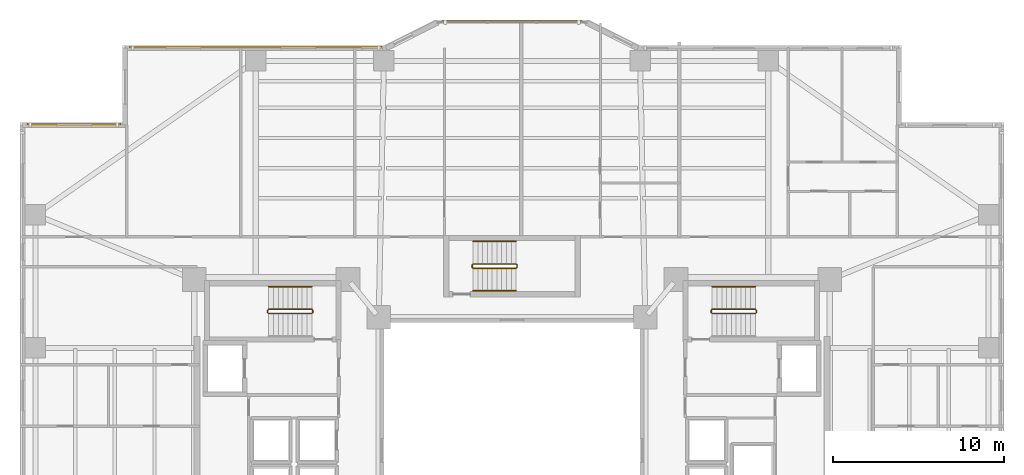
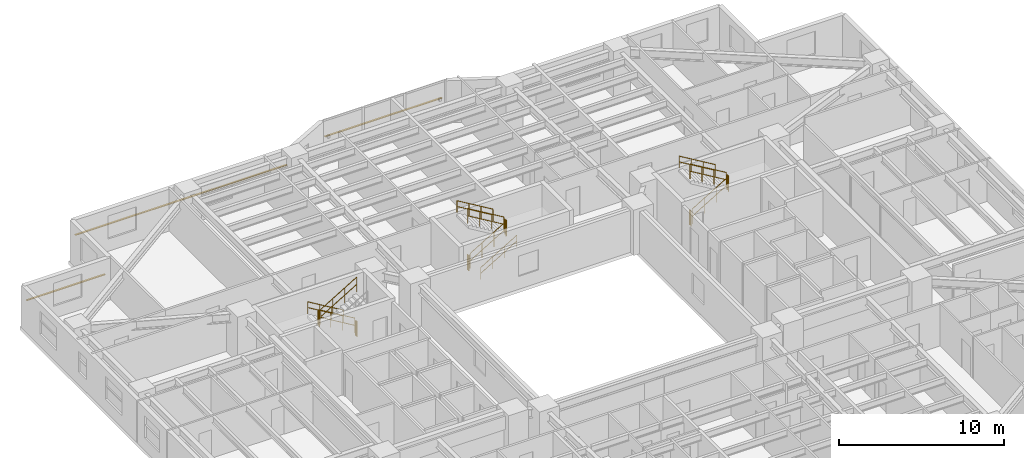
# One storey, part 20 of 21: 16 railings, 3 shading devices.
"""IFC4 building model written with IfcOpenShell, lengths in metres."""

from ifc_helpers import new_model, si_unit, direction, frame, origin, origin_2d, place, context, subcontext, project, spatial, rectangle, circle, extrude, material, material_profile, profile_set, type_object, element, save


model = new_model("IFC4")

# Units and contexts
model_context = context("Model", 3, precision=1e-05, world=origin(), true_north=direction((0.0, 1.0)))
body_context = subcontext(model_context, "Body", "Model", "MODEL_VIEW")
ifc_project = project(units=[si_unit("LENGTHUNIT", "METRE"), si_unit("AREAUNIT", "SQUARE_METRE"), si_unit("VOLUMEUNIT", "CUBIC_METRE"), si_unit("PLANEANGLEUNIT", "RADIAN"), si_unit("MASSUNIT", "GRAM", prefix="KILO")], contexts=[model_context])

# Site, building, storey
site_placement = place(None, origin())
site = spatial("IfcSite", under=ifc_project, at=site_placement, CompositionType="ELEMENT")
building_placement = place(site_placement, origin())
building = spatial("IfcBuilding", under=site, at=building_placement, Name="Tarnavaz Court Tower", CompositionType="ELEMENT")
storey_placement = place(building_placement, frame((0.0, 0.0, 44.10009765625)))
storey = spatial("IfcBuildingStorey", under=building, at=storey_placement, Name="L11", CompositionType="ELEMENT", Elevation=44.10009765625)

# Railings
ifc_material_1 = material(Name="Brushed Stainless Steel", Category="steel")
railing_type_1 = type_object("IfcRailingType", Name="RL-HANDRAIL-900", PredefinedType="HANDRAIL", material=ifc_material_1)
railing_1_placement = place(storey_placement, frame((-11.719970703125, 9.590087890625, 0.16748046875)))
element("IfcRailing", 1, at=railing_1_placement, inside=storey, type_object=railing_type_1, Name="L11 ST-W1 stair handrail 1", PredefinedType="HANDRAIL", context=body_context, shape_type="SweptSolid", body=[
    extrude(circle(Radius=0.02392578125, at=origin_2d()), frame((0.0, 0.0, 0.8759765625), z_axis=(-0.858196387827, 0.0, 0.513321497621), x_axis=(0.0, -1.0, 0.0)), (0.0, 0.0, 1.0), 2.9365234375),
    extrude(circle(Radius=0.02392578125, at=origin_2d()), frame((0.0, 0.0, 0.449951171875), z_axis=(-0.858196387827, 0.0, 0.513321497621), x_axis=(0.0, -1.0, 0.0)), (0.0, 0.0, 1.0), 2.9365234375),
    extrude(circle(Radius=0.02099609375, at=origin_2d()), origin(), (0.0, 0.0, 1.0), 0.851806640625),
    extrude(circle(Radius=0.02099609375, at=origin_2d()), frame((-0.840087890625, 0.0, 0.50244140625)), (0.0, 0.0, 1.0), 0.851806640625),
    extrude(circle(Radius=0.02099609375, at=origin_2d()), frame((-1.679931640625, 0.0, 1.0048828125)), (0.0, 0.0, 1.0), 0.851806640625),
    extrude(circle(Radius=0.02099609375, at=origin_2d()), frame((-2.52001953125, 0.0, 1.50732421875)), (0.0, 0.0, 1.0), 0.851806640625),
])
railing_2_placement = place(storey_placement, frame((14.239990234375, 9.590087890625, 1.84228515625)))
element("IfcRailing", 2, at=railing_2_placement, inside=storey, type_object=railing_type_1, Name="L11 ST-E1 stair handrail 2", PredefinedType="HANDRAIL", context=body_context, shape_type="SweptSolid", body=[
    extrude(circle(Radius=0.02392578125, at=origin_2d()), frame((0.0, 0.0, 0.8759765625), z_axis=(-0.858159760407, 0.0, 0.513382728203), x_axis=(0.0, -1.0, 0.0)), (0.0, 0.0, 1.0), 2.9365234375),
    extrude(circle(Radius=0.02392578125, at=origin_2d()), frame((0.0, 0.0, 0.449951171875), z_axis=(-0.858159760407, 0.0, 0.513382728203), x_axis=(0.0, -1.0, 0.0)), (0.0, 0.0, 1.0), 2.9365234375),
    extrude(circle(Radius=0.02099609375, at=origin_2d()), origin(), (0.0, 0.0, 1.0), 0.851806640625),
    extrude(circle(Radius=0.02099609375, at=origin_2d()), frame((-0.840087890625, 0.0, 0.50244140625)), (0.0, 0.0, 1.0), 0.851806640625),
    extrude(circle(Radius=0.02099609375, at=origin_2d()), frame((-1.679931640625, 0.0, 1.005126953125)), (0.0, 0.0, 1.0), 0.851806640625),
    extrude(circle(Radius=0.02099609375, at=origin_2d()), frame((-2.52001953125, 0.0, 1.507568359375)), (0.0, 0.0, 1.0), 0.851806640625),
])
railing_3_placement = place(storey_placement, frame((-2.280029296875, 9.35009765625, 0.16748046875)))
element("IfcRailing", 3, at=railing_3_placement, inside=storey, type_object=railing_type_1, Name="L11 ST-N1 stair handrail 1", PredefinedType="HANDRAIL", context=body_context, shape_type="SweptSolid", body=[
    extrude(circle(Radius=0.02392578125, at=origin_2d()), frame((0.0, 0.0, 0.8759765625), z_axis=(0.858196387827, 0.0, 0.513321497621), x_axis=(0.0, 1.0, 0.0)), (0.0, 0.0, 1.0), 2.9365234375),
    extrude(circle(Radius=0.02392578125, at=origin_2d()), frame((0.0, 0.0, 0.449951171875), z_axis=(0.858196387827, 0.0, 0.513321497621), x_axis=(0.0, 1.0, 0.0)), (0.0, 0.0, 1.0), 2.9365234375),
    extrude(circle(Radius=0.02099609375, at=origin_2d()), origin(), (0.0, 0.0, 1.0), 0.851806640625),
    extrude(circle(Radius=0.02099609375, at=origin_2d()), frame((0.840087890625, 0.0, 0.50244140625)), (0.0, 0.0, 1.0), 0.851806640625),
    extrude(circle(Radius=0.02099609375, at=origin_2d()), frame((1.679931640625, 0.0, 1.0048828125)), (0.0, 0.0, 1.0), 0.851806640625),
    extrude(circle(Radius=0.02099609375, at=origin_2d()), frame((2.52001953125, 0.0, 1.50732421875)), (0.0, 0.0, 1.0), 0.851806640625),
])
railing_4_placement = place(storey_placement, frame((0.239990234375, 12.239990234375, 1.84228515625)))
element("IfcRailing", 4, at=railing_4_placement, inside=storey, type_object=railing_type_1, Name="L11 ST-N1 stair handrail 2", PredefinedType="HANDRAIL", context=body_context, shape_type="SweptSolid", body=[
    extrude(circle(Radius=0.02392578125, at=origin_2d()), frame((0.0, 0.0, 0.8759765625), z_axis=(-0.858159760407, 0.0, 0.513382728203), x_axis=(0.0, -1.0, 0.0)), (0.0, 0.0, 1.0), 2.9365234375),
    extrude(circle(Radius=0.02392578125, at=origin_2d()), frame((0.0, 0.0, 0.449951171875), z_axis=(-0.858159760407, 0.0, 0.513382728203), x_axis=(0.0, -1.0, 0.0)), (0.0, 0.0, 1.0), 2.9365234375),
    extrude(circle(Radius=0.02099609375, at=origin_2d()), origin(), (0.0, 0.0, 1.0), 0.851806640625),
    extrude(circle(Radius=0.02099609375, at=origin_2d()), frame((-0.840087890625, 0.0, 0.50244140625)), (0.0, 0.0, 1.0), 0.851806640625),
    extrude(circle(Radius=0.02099609375, at=origin_2d()), frame((-1.679931640625, 0.0, 1.005126953125)), (0.0, 0.0, 1.0), 0.851806640625),
    extrude(circle(Radius=0.02099609375, at=origin_2d()), frame((-2.52001953125, 0.0, 1.507568359375)), (0.0, 0.0, 1.0), 0.851806640625),
])
ifc_material_2 = material(Name="Galvanized Painted Tubular Steel", Category="steel")
railing_type_2 = type_object("IfcRailingType", Name="RL-STGUARD-1120", PredefinedType="GUARDRAIL", material=ifc_material_2)
railing_5_placement = place(storey_placement, frame((-11.719970703125, 8.27001953125, 0.16748046875)))
element("IfcRailing", 5, at=railing_5_placement, inside=storey, type_object=railing_type_2, Name="L11 ST-W1 stair guard 1", PredefinedType="GUARDRAIL", context=body_context, shape_type="SweptSolid", body=[
    extrude(circle(Radius=0.02392578125, at=origin_2d()), frame((0.0, 0.0, 1.09619140625), z_axis=(-0.858196387827, 0.0, 0.513321497621), x_axis=(0.0, -1.0, 0.0)), (0.0, 0.0, 1.0), 2.9365234375),
    extrude(circle(Radius=0.02392578125, at=origin_2d()), frame((0.0, 0.0, 0.56005859375), z_axis=(-0.858196387827, 0.0, 0.513321497621), x_axis=(0.0, -1.0, 0.0)), (0.0, 0.0, 1.0), 2.9365234375),
    extrude(circle(Radius=0.02099609375, at=origin_2d()), origin(), (0.0, 0.0, 1.0), 1.072021484375),
    extrude(circle(Radius=0.02099609375, at=origin_2d()), frame((-0.840087890625, 0.0, 0.50244140625)), (0.0, 0.0, 1.0), 1.072021484375),
    extrude(circle(Radius=0.02099609375, at=origin_2d()), frame((-1.679931640625, 0.0, 1.0048828125)), (0.0, 0.0, 1.0), 1.072021484375),
    extrude(circle(Radius=0.02099609375, at=origin_2d()), frame((-2.52001953125, 0.0, 1.50732421875)), (0.0, 0.0, 1.0), 1.072021484375),
])
railing_6_placement = place(storey_placement, frame((-14.2900390625, 8.219970703125, 1.6748046875)))
element("IfcRailing", 6, at=railing_6_placement, inside=storey, type_object=railing_type_2, Name="L11 ST-W1 stair guard 2", PredefinedType="GUARDRAIL", context=body_context, shape_type="SweptSolid", body=[
    extrude(circle(Radius=0.02392578125, at=origin_2d()), frame((0.0, 0.0, 1.09619140625), z_axis=(0.0, -1.0, 0.0), x_axis=(1.0, 0.0, 0.0)), (0.0, 0.0, 1.0), 0.14990234375),
    extrude(circle(Radius=0.02392578125, at=origin_2d()), frame((0.0, 0.0, 0.56005859375), z_axis=(0.0, -1.0, 0.0), x_axis=(1.0, 0.0, 0.0)), (0.0, 0.0, 1.0), 0.14990234375),
    extrude(circle(Radius=0.02099609375, at=origin_2d()), origin(), (0.0, 0.0, 1.0), 1.072021484375),
    extrude(circle(Radius=0.02099609375, at=origin_2d()), frame((0.0, -0.14990234375, 0.0)), (0.0, 0.0, 1.0), 1.072021484375),
])
railing_7_placement = place(storey_placement, frame((-14.239990234375, 8.02001953125, 1.84228515625)))
element("IfcRailing", 7, at=railing_7_placement, inside=storey, type_object=railing_type_2, Name="L11 ST-W1 stair guard 3", PredefinedType="GUARDRAIL", context=body_context, shape_type="SweptSolid", body=[
    extrude(circle(Radius=0.02392578125, at=origin_2d()), frame((0.0, 0.0, 1.09619140625), z_axis=(0.858159760407, 0.0, 0.513382728203), x_axis=(0.0, 1.0, 0.0)), (0.0, 0.0, 1.0), 2.9365234375),
    extrude(circle(Radius=0.02392578125, at=origin_2d()), frame((0.0, 0.0, 0.56005859375), z_axis=(0.858159760407, 0.0, 0.513382728203), x_axis=(0.0, 1.0, 0.0)), (0.0, 0.0, 1.0), 2.9365234375),
    extrude(circle(Radius=0.02099609375, at=origin_2d()), origin(), (0.0, 0.0, 1.0), 1.072021484375),
    extrude(circle(Radius=0.02099609375, at=origin_2d()), frame((0.840087890625, 0.0, 0.50244140625)), (0.0, 0.0, 1.0), 1.072021484375),
    extrude(circle(Radius=0.02099609375, at=origin_2d()), frame((1.679931640625, 0.0, 1.005126953125)), (0.0, 0.0, 1.0), 1.072021484375),
    extrude(circle(Radius=0.02099609375, at=origin_2d()), frame((2.52001953125, 0.0, 1.507568359375)), (0.0, 0.0, 1.0), 1.072021484375),
])
railing_8_placement = place(storey_placement, frame((-11.669921875, 8.219970703125, 0.0)))
element("IfcRailing", 8, at=railing_8_placement, inside=storey, type_object=railing_type_2, Name="L11 ST-W1 stair guard 4", PredefinedType="GUARDRAIL", context=body_context, shape_type="SweptSolid", body=[
    extrude(circle(Radius=0.02392578125, at=origin_2d()), frame((0.0, 0.0, 1.09619140625), z_axis=(0.0, -1.0, 0.0), x_axis=(1.0, 0.0, 0.0)), (0.0, 0.0, 1.0), 0.14990234375),
    extrude(circle(Radius=0.02392578125, at=origin_2d()), frame((0.0, 0.0, 0.56005859375), z_axis=(0.0, -1.0, 0.0), x_axis=(1.0, 0.0, 0.0)), (0.0, 0.0, 1.0), 0.14990234375),
    extrude(circle(Radius=0.02099609375, at=origin_2d()), origin(), (0.0, 0.0, 1.0), 1.072021484375),
    extrude(circle(Radius=0.02099609375, at=origin_2d()), frame((0.0, -0.14990234375, 0.0)), (0.0, 0.0, 1.0), 1.072021484375),
])
railing_9_placement = place(storey_placement, frame((11.719970703125, 8.02001953125, 0.16748046875)))
element("IfcRailing", 9, at=railing_9_placement, inside=storey, type_object=railing_type_2, Name="L11 ST-E1 stair guard 1", PredefinedType="GUARDRAIL", context=body_context, shape_type="SweptSolid", body=[
    extrude(circle(Radius=0.02392578125, at=origin_2d()), frame((0.0, 0.0, 1.09619140625), z_axis=(0.858196387827, 0.0, 0.513321497621), x_axis=(0.0, 1.0, 0.0)), (0.0, 0.0, 1.0), 2.9365234375),
    extrude(circle(Radius=0.02392578125, at=origin_2d()), frame((0.0, 0.0, 0.56005859375), z_axis=(0.858196387827, 0.0, 0.513321497621), x_axis=(0.0, 1.0, 0.0)), (0.0, 0.0, 1.0), 2.9365234375),
    extrude(circle(Radius=0.02099609375, at=origin_2d()), origin(), (0.0, 0.0, 1.0), 1.072021484375),
    extrude(circle(Radius=0.02099609375, at=origin_2d()), frame((0.840087890625, 0.0, 0.50244140625)), (0.0, 0.0, 1.0), 1.072021484375),
    extrude(circle(Radius=0.02099609375, at=origin_2d()), frame((1.679931640625, 0.0, 1.0048828125)), (0.0, 0.0, 1.0), 1.072021484375),
    extrude(circle(Radius=0.02099609375, at=origin_2d()), frame((2.52001953125, 0.0, 1.50732421875)), (0.0, 0.0, 1.0), 1.072021484375),
])
railing_10_placement = place(storey_placement, frame((14.2900390625, 8.070068359375, 1.6748046875)))
element("IfcRailing", 10, at=railing_10_placement, inside=storey, type_object=railing_type_2, Name="L11 ST-E1 stair guard 2", PredefinedType="GUARDRAIL", context=body_context, shape_type="SweptSolid", body=[
    extrude(circle(Radius=0.02392578125, at=origin_2d()), frame((0.0, 0.0, 1.09619140625), z_axis=(0.0, 1.0, 0.0), x_axis=(-1.0, 0.0, 0.0)), (0.0, 0.0, 1.0), 0.14990234375),
    extrude(circle(Radius=0.02392578125, at=origin_2d()), frame((0.0, 0.0, 0.56005859375), z_axis=(0.0, 1.0, 0.0), x_axis=(-1.0, 0.0, 0.0)), (0.0, 0.0, 1.0), 0.14990234375),
    extrude(circle(Radius=0.02099609375, at=origin_2d()), origin(), (0.0, 0.0, 1.0), 1.072021484375),
    extrude(circle(Radius=0.02099609375, at=origin_2d()), frame((0.0, 0.14990234375, 0.0)), (0.0, 0.0, 1.0), 1.072021484375),
])
railing_11_placement = place(storey_placement, frame((14.239990234375, 8.27001953125, 1.84228515625)))
element("IfcRailing", 11, at=railing_11_placement, inside=storey, type_object=railing_type_2, Name="L11 ST-E1 stair guard 3", PredefinedType="GUARDRAIL", context=body_context, shape_type="SweptSolid", body=[
    extrude(circle(Radius=0.02392578125, at=origin_2d()), frame((0.0, 0.0, 1.09619140625), z_axis=(-0.858159760407, 0.0, 0.513382728203), x_axis=(0.0, -1.0, 0.0)), (0.0, 0.0, 1.0), 2.9365234375),
    extrude(circle(Radius=0.02392578125, at=origin_2d()), frame((0.0, 0.0, 0.56005859375), z_axis=(-0.858159760407, 0.0, 0.513382728203), x_axis=(0.0, -1.0, 0.0)), (0.0, 0.0, 1.0), 2.9365234375),
    extrude(circle(Radius=0.02099609375, at=origin_2d()), origin(), (0.0, 0.0, 1.0), 1.072021484375),
    extrude(circle(Radius=0.02099609375, at=origin_2d()), frame((-0.840087890625, 0.0, 0.50244140625)), (0.0, 0.0, 1.0), 1.072021484375),
    extrude(circle(Radius=0.02099609375, at=origin_2d()), frame((-1.679931640625, 0.0, 1.005126953125)), (0.0, 0.0, 1.0), 1.072021484375),
    extrude(circle(Radius=0.02099609375, at=origin_2d()), frame((-2.52001953125, 0.0, 1.507568359375)), (0.0, 0.0, 1.0), 1.072021484375),
])
railing_12_placement = place(storey_placement, frame((11.669921875, 8.070068359375, 0.0)))
element("IfcRailing", 12, at=railing_12_placement, inside=storey, type_object=railing_type_2, Name="L11 ST-E1 stair guard 4", PredefinedType="GUARDRAIL", context=body_context, shape_type="SweptSolid", body=[
    extrude(circle(Radius=0.02392578125, at=origin_2d()), frame((0.0, 0.0, 1.09619140625), z_axis=(0.0, 1.0, 0.0), x_axis=(-1.0, 0.0, 0.0)), (0.0, 0.0, 1.0), 0.14990234375),
    extrude(circle(Radius=0.02392578125, at=origin_2d()), frame((0.0, 0.0, 0.56005859375), z_axis=(0.0, 1.0, 0.0), x_axis=(-1.0, 0.0, 0.0)), (0.0, 0.0, 1.0), 0.14990234375),
    extrude(circle(Radius=0.02099609375, at=origin_2d()), origin(), (0.0, 0.0, 1.0), 1.072021484375),
    extrude(circle(Radius=0.02099609375, at=origin_2d()), frame((0.0, 0.14990234375, 0.0)), (0.0, 0.0, 1.0), 1.072021484375),
])
railing_13_placement = place(storey_placement, frame((-2.280029296875, 10.669921875, 0.16748046875)))
element("IfcRailing", 13, at=railing_13_placement, inside=storey, type_object=railing_type_2, Name="L11 ST-N1 stair guard 1", PredefinedType="GUARDRAIL", context=body_context, shape_type="SweptSolid", body=[
    extrude(circle(Radius=0.02392578125, at=origin_2d()), frame((0.0, 0.0, 1.09619140625), z_axis=(0.858196387827, 0.0, 0.513321497621), x_axis=(0.0, 1.0, 0.0)), (0.0, 0.0, 1.0), 2.9365234375),
    extrude(circle(Radius=0.02392578125, at=origin_2d()), frame((0.0, 0.0, 0.56005859375), z_axis=(0.858196387827, 0.0, 0.513321497621), x_axis=(0.0, 1.0, 0.0)), (0.0, 0.0, 1.0), 2.9365234375),
    extrude(circle(Radius=0.02099609375, at=origin_2d()), origin(), (0.0, 0.0, 1.0), 1.072021484375),
    extrude(circle(Radius=0.02099609375, at=origin_2d()), frame((0.840087890625, 0.0, 0.50244140625)), (0.0, 0.0, 1.0), 1.072021484375),
    extrude(circle(Radius=0.02099609375, at=origin_2d()), frame((1.679931640625, 0.0, 1.0048828125)), (0.0, 0.0, 1.0), 1.072021484375),
    extrude(circle(Radius=0.02099609375, at=origin_2d()), frame((2.52001953125, 0.0, 1.50732421875)), (0.0, 0.0, 1.0), 1.072021484375),
])
railing_14_placement = place(storey_placement, frame((0.2900390625, 10.719970703125, 1.6748046875)))
element("IfcRailing", 14, at=railing_14_placement, inside=storey, type_object=railing_type_2, Name="L11 ST-N1 stair guard 2", PredefinedType="GUARDRAIL", context=body_context, shape_type="SweptSolid", body=[
    extrude(circle(Radius=0.02392578125, at=origin_2d()), frame((0.0, 0.0, 1.09619140625), z_axis=(0.0, 1.0, 0.0), x_axis=(-1.0, 0.0, 0.0)), (0.0, 0.0, 1.0), 0.150146484375),
    extrude(circle(Radius=0.02392578125, at=origin_2d()), frame((0.0, 0.0, 0.56005859375), z_axis=(0.0, 1.0, 0.0), x_axis=(-1.0, 0.0, 0.0)), (0.0, 0.0, 1.0), 0.150146484375),
    extrude(circle(Radius=0.02099609375, at=origin_2d()), origin(), (0.0, 0.0, 1.0), 1.072021484375),
    extrude(circle(Radius=0.02099609375, at=origin_2d()), frame((0.0, 0.150146484375, 0.0)), (0.0, 0.0, 1.0), 1.072021484375),
])
railing_15_placement = place(storey_placement, frame((0.239990234375, 10.919921875, 1.84228515625)))
element("IfcRailing", 15, at=railing_15_placement, inside=storey, type_object=railing_type_2, Name="L11 ST-N1 stair guard 3", PredefinedType="GUARDRAIL", context=body_context, shape_type="SweptSolid", body=[
    extrude(circle(Radius=0.02392578125, at=origin_2d()), frame((0.0, 0.0, 1.09619140625), z_axis=(-0.858159760407, 0.0, 0.513382728203), x_axis=(0.0, -1.0, 0.0)), (0.0, 0.0, 1.0), 2.9365234375),
    extrude(circle(Radius=0.02392578125, at=origin_2d()), frame((0.0, 0.0, 0.56005859375), z_axis=(-0.858159760407, 0.0, 0.513382728203), x_axis=(0.0, -1.0, 0.0)), (0.0, 0.0, 1.0), 2.9365234375),
    extrude(circle(Radius=0.02099609375, at=origin_2d()), origin(), (0.0, 0.0, 1.0), 1.072021484375),
    extrude(circle(Radius=0.02099609375, at=origin_2d()), frame((-0.840087890625, 0.0, 0.50244140625)), (0.0, 0.0, 1.0), 1.072021484375),
    extrude(circle(Radius=0.02099609375, at=origin_2d()), frame((-1.679931640625, 0.0, 1.005126953125)), (0.0, 0.0, 1.0), 1.072021484375),
    extrude(circle(Radius=0.02099609375, at=origin_2d()), frame((-2.52001953125, 0.0, 1.507568359375)), (0.0, 0.0, 1.0), 1.072021484375),
])
railing_16_placement = place(storey_placement, frame((-2.330078125, 10.719970703125, 0.0)))
element("IfcRailing", 16, at=railing_16_placement, inside=storey, type_object=railing_type_2, Name="L11 ST-N1 stair guard 4", PredefinedType="GUARDRAIL", context=body_context, shape_type="SweptSolid", body=[
    extrude(circle(Radius=0.02392578125, at=origin_2d()), frame((0.0, 0.0, 1.09619140625), z_axis=(0.0, 1.0, 0.0), x_axis=(-1.0, 0.0, 0.0)), (0.0, 0.0, 1.0), 0.150146484375),
    extrude(circle(Radius=0.02392578125, at=origin_2d()), frame((0.0, 0.0, 0.56005859375), z_axis=(0.0, 1.0, 0.0), x_axis=(-1.0, 0.0, 0.0)), (0.0, 0.0, 1.0), 0.150146484375),
    extrude(circle(Radius=0.02099609375, at=origin_2d()), origin(), (0.0, 0.0, 1.0), 1.072021484375),
    extrude(circle(Radius=0.02099609375, at=origin_2d()), frame((0.0, 0.150146484375, 0.0)), (0.0, 0.0, 1.0), 1.072021484375),
])

# Shading devices
ifc_material_3 = material(Name="Kiln-Fired Khorasan Terracotta Ceramic", Category="masonry")
ifc_material_profile = material_profile(ifc_material_3, rectangle(XDim=0.1201171875, YDim=0.06005859375, at=origin_2d()), Name="TC BAGUETTE 120X60")
ifc_profile_set = profile_set([ifc_material_profile], Name="Kiln-Fired Khorasan Terracotta Ceramic")
shading_device_type = type_object("IfcShadingDeviceType", Name="SD-BAG-120", PredefinedType="USERDEFINED", material=ifc_profile_set)
shading_device_1_placement = place(storey_placement, frame((-28.39990234375, 19.110107421875, 1.849853515625), z_axis=(1.0, 0.0, 0.0), x_axis=(0.0, 1.0, 0.0)))
element("IfcShadingDevice", 17, at=shading_device_1_placement, inside=storey, type_object=shading_device_type, Name="L11 Terracotta Baguette Screen FBG03", ObjectType="BAGUETTE", PredefinedType="USERDEFINED", context=body_context, shape_type="SweptSolid", body=[
    extrude(rectangle(XDim=0.1201171875, YDim=0.06005859375, at=origin_2d()), origin(), (0.0, 0.0, 1.0), 5.5),
])
shading_device_2_placement = place(storey_placement, frame((-22.39990234375, 23.610107421875, 1.849853515625), z_axis=(1.0, 0.0, 0.0), x_axis=(0.0, 1.0, 0.0)))
element("IfcShadingDevice", 18, at=shading_device_2_placement, inside=storey, type_object=shading_device_type, Name="L11 Terracotta Baguette Screen FBG05", ObjectType="BAGUETTE", PredefinedType="USERDEFINED", context=body_context, shape_type="SweptSolid", body=[
    extrude(rectangle(XDim=0.1201171875, YDim=0.06005859375, at=origin_2d()), origin(), (0.0, 0.0, 1.0), 14.7998046875),
])
shading_device_3_placement = place(storey_placement, frame((-4.10009765625, 25.110107421875, 1.7998046875), z_axis=(1.0, 0.0, 0.0), x_axis=(0.0, 1.0, 0.0)))
element("IfcShadingDevice", 19, at=shading_device_3_placement, inside=storey, type_object=shading_device_type, Name="L11 Terracotta Baguette Screen PBG7", ObjectType="BAGUETTE", PredefinedType="USERDEFINED", context=body_context, shape_type="SweptSolid", body=[
    extrude(rectangle(XDim=0.1201171875, YDim=0.06005859375, at=origin_2d()), origin(), (0.0, 0.0, 1.0), 8.2001953125),
])

save(model, "model.ifc")
